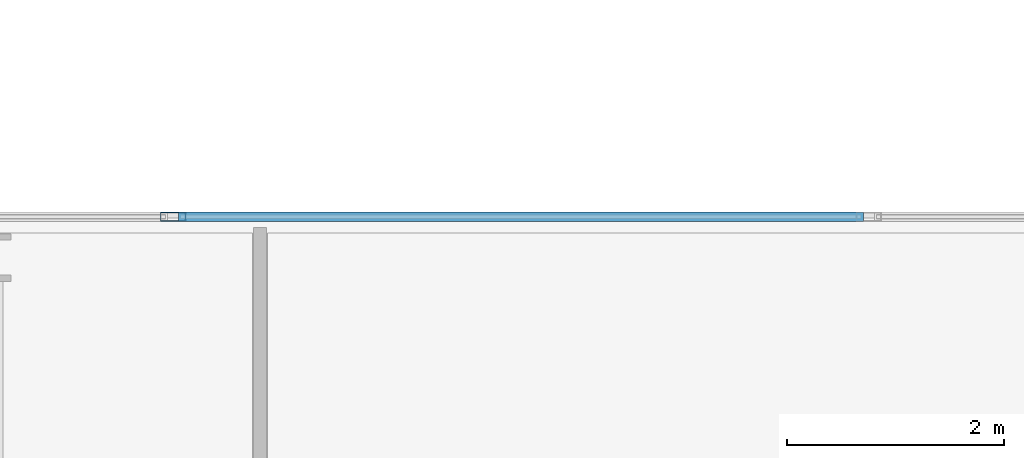
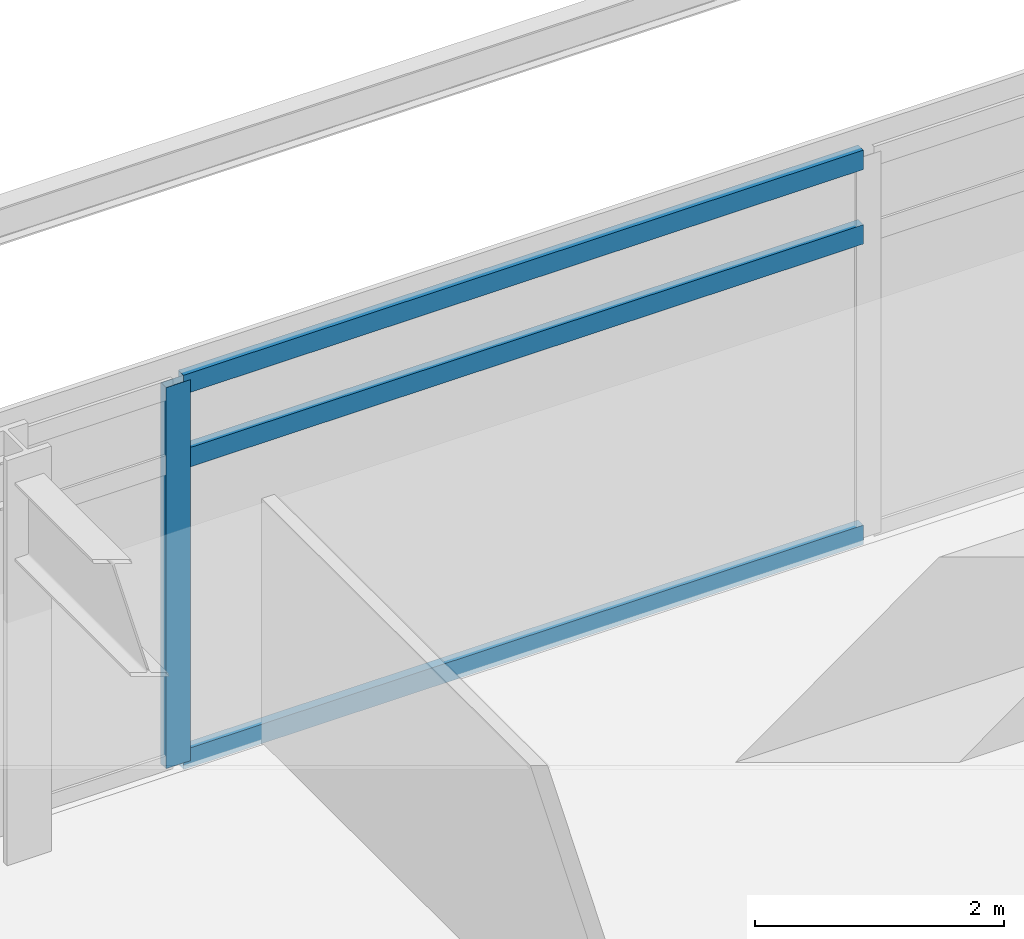
# One storey, part 7 of 24: 4 members, 1 element without a shape of its own.
"""IFC4 building model written with IfcOpenShell, lengths in metres."""

from ifc_helpers import new_model, si_unit, direction, frame, origin, origin_2d, place, context, subcontext, project, spatial, hollow_rectangle, extrude, material, material_profile, profile_set, type_object, element, aggregate, save


model = new_model("IFC4")

# Units and contexts
model_context = context("Model", 3, precision=1e-05, world=origin(), true_north=direction((0.0, 1.0)))
body_context = subcontext(model_context, "Body", "Model", "MODEL_VIEW")
ifc_project = project(units=[si_unit("LENGTHUNIT", "METRE"), si_unit("AREAUNIT", "SQUARE_METRE"), si_unit("VOLUMEUNIT", "CUBIC_METRE"), si_unit("PLANEANGLEUNIT", "RADIAN"), si_unit("MASSUNIT", "GRAM", prefix="KILO")], contexts=[model_context])

# Site, building, storey
site_placement = place(None, origin())
site = spatial("IfcSite", under=ifc_project, at=site_placement, CompositionType="ELEMENT")
building_placement = place(site_placement, origin())
building = spatial("IfcBuilding", under=site, at=building_placement, Name="Kovane Verandah Tower", CompositionType="ELEMENT")
storey_placement = place(building_placement, frame((0.0, 0.0, 144.39990234375)))
storey = spatial("IfcBuildingStorey", under=building, at=storey_placement, Name="L33", CompositionType="ELEMENT", Elevation=144.39990234375)

# Curtain wall, members
ifc_material_1 = material(Name="Champagne Anodised Aluminium Frame with Low-E Clear Laminated Glass", Category="aluminium")
curtain_wall_type = type_object("IfcCurtainWallType", Name="CW-SYS-03-MID", PredefinedType="NOTDEFINED", material=ifc_material_1)
curtain_wall_placement = place(storey_placement, origin())
curtain_wall = element("IfcCurtainWall", 1, at=curtain_wall_placement, inside=storey, type_object=curtain_wall_type, Name="L33 N Unitised Curtain Wall", PredefinedType="NOTDEFINED")
ifc_material_2 = material(Name="Champagne Anodised Aluminium 6063-T6", Category="aluminium")
ifc_material_profile_1 = material_profile(ifc_material_2, hollow_rectangle(XDim=0.0849609375, YDim=0.22998046875, WallThickness=0.00390625, at=origin_2d()), Name="AL85x230x4")
ifc_profile_set_1 = profile_set([ifc_material_profile_1], Name="Champagne Anodised Aluminium 6063-T6")
member_type_1 = type_object("IfcMemberType", Name="CW-MUL-85x230", PredefinedType="MULLION", material=ifc_profile_set_1)
member_1_placement = place(storey_placement, frame((30.698974609375, 49.875, 0.02001953125), z_axis=(0.0, 0.0, 1.0), x_axis=(0.0, 1.0, 0.0)))
member_1 = element("IfcMember", 2, at=member_1_placement, type_object=member_type_1, Name="L33 N Unitised Curtain Wall Mullion 6", PredefinedType="MULLION", context=body_context, shape_type="SweptSolid", body=[
    extrude(hollow_rectangle(XDim=0.0849609375, YDim=0.22998046875, WallThickness=0.00390625, at=origin_2d()), origin(), (0.0, 0.0, 1.0), 3.735107421875),
])
ifc_material_profile_2 = material_profile(ifc_material_2, hollow_rectangle(XDim=0.0849609375, YDim=0.18994140625, WallThickness=0.00390625, at=origin_2d()), Name="AL85x190x4")
ifc_profile_set_2 = profile_set([ifc_material_profile_2], Name="Champagne Anodised Aluminium 6063-T6")
member_type_2 = type_object("IfcMemberType", Name="CW-TRN-85x190", PredefinedType="USERDEFINED", material=ifc_profile_set_2)
member_2_placement = place(storey_placement, frame((37.052001953125, 49.875, 0.050048828125), z_axis=(-1.0, 0.0, 0.0), x_axis=(0.0, -1.0, 0.0)))
member_2 = element("IfcMember", 3, at=member_2_placement, type_object=member_type_2, Name="L33 N Unitised Curtain Wall Transom TB Bay 5", ObjectType="TRANSOM", PredefinedType="USERDEFINED", context=body_context, shape_type="SweptSolid", body=[
    extrude(hollow_rectangle(XDim=0.0849609375, YDim=0.18994140625, WallThickness=0.00390625, at=origin_2d()), origin(), (0.0, 0.0, 1.0), 6.30322265625),
])
member_3_placement = place(storey_placement, frame((37.052001953125, 49.875, 2.9951171875), z_axis=(-1.0, 0.0, 0.0), x_axis=(0.0, -1.0, 0.0)))
member_3 = element("IfcMember", 4, at=member_3_placement, type_object=member_type_2, Name="L33 N Unitised Curtain Wall Transom TM Bay 5", ObjectType="TRANSOM", PredefinedType="USERDEFINED", context=body_context, shape_type="SweptSolid", body=[
    extrude(hollow_rectangle(XDim=0.0849609375, YDim=0.18994140625, WallThickness=0.00390625, at=origin_2d()), origin(), (0.0, 0.0, 1.0), 6.30322265625),
])
member_4_placement = place(storey_placement, frame((37.052001953125, 49.875, 3.72509765625), z_axis=(-1.0, 0.0, 0.0), x_axis=(0.0, -1.0, 0.0)))
member_4 = element("IfcMember", 5, at=member_4_placement, type_object=member_type_2, Name="L33 N Unitised Curtain Wall Transom TT Bay 5", ObjectType="TRANSOM", PredefinedType="USERDEFINED", context=body_context, shape_type="SweptSolid", body=[
    extrude(hollow_rectangle(XDim=0.0849609375, YDim=0.18994140625, WallThickness=0.00390625, at=origin_2d()), origin(), (0.0, 0.0, 1.0), 6.30322265625),
])
aggregate(curtain_wall, [member_1, member_2, member_3, member_4])

save(model, "model.ifc")
